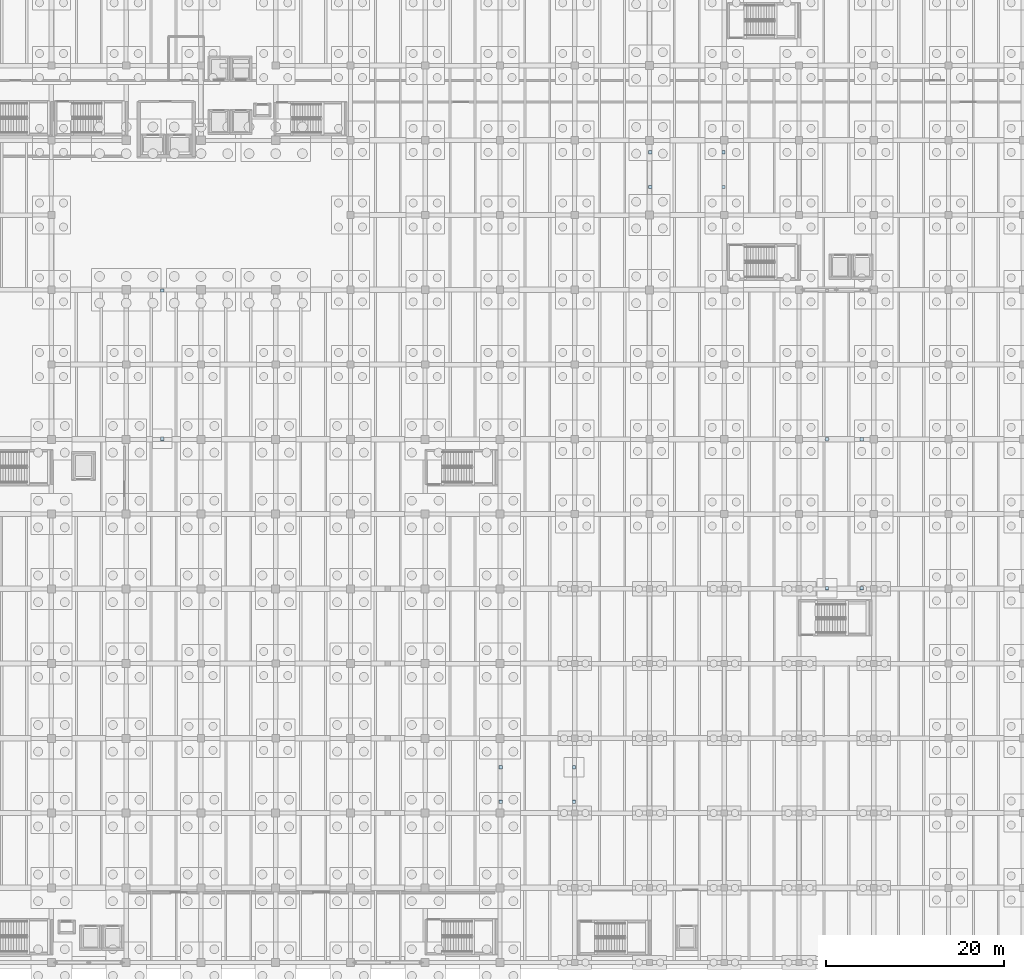
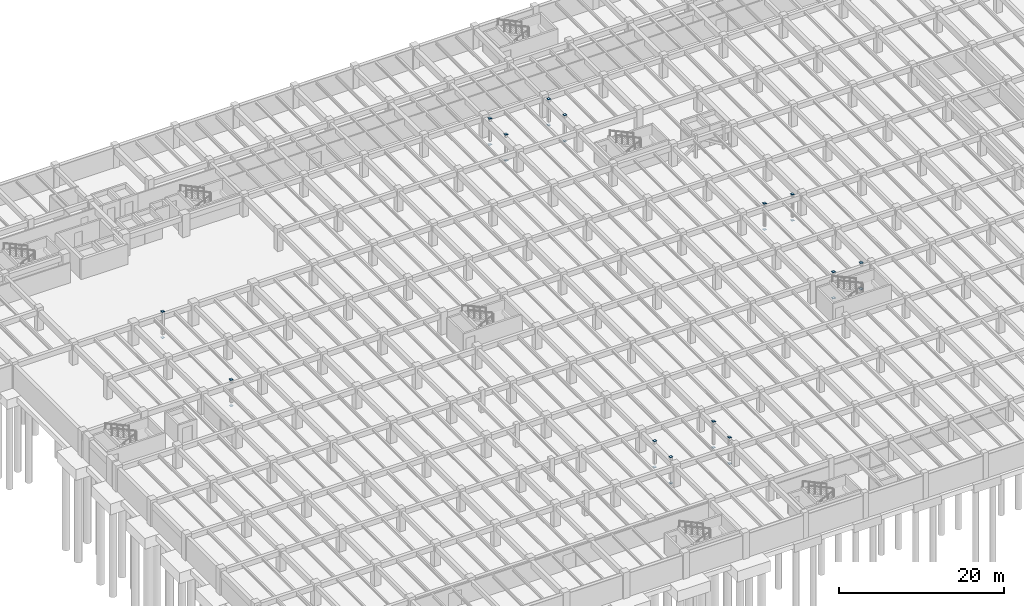
# One storey, part 37 of 70: 28 plates.
"""IFC4 building model written with IfcOpenShell, lengths in metres."""

import ifcopenshell
import ifcopenshell.guid

model = None  # the IFC model being written
_history = None  # IfcOwnerHistory: only IFC2X3 demands one
_inside = {}  # id of a spatial element -> (the spatial element, [elements in it])
_under = {}  # id of a project, library or spatial element -> (it, [spatial elements below it])
_declared = {}  # id of a project -> (the project, [libraries it declares])
_typed = {}  # id of a type object -> (the type object, [elements of that type])
_made_of = {}  # id of a material, layer set ... -> (it, [elements and type objects made of it])


def new_model(schema):
    """Start an empty IFC model of exactly this schema.

    Asked for "IFC4X3", IfcOpenShell would pick the latest addendum, in which some entities
    have other attributes; the version numbers below select the first issue.
    IFC2X3 requires an IfcOwnerHistory on every rooted entity: one is made here for all.
    """
    global model, _history
    if schema == "IFC4X3":
        model = ifcopenshell.file(schema_version=(4, 3, 0, 0))
    else:
        model = ifcopenshell.file(schema=schema)
    _inside.clear()
    _under.clear()
    _declared.clear()
    _typed.clear()
    _made_of.clear()
    _history = None
    if model.schema == "IFC2X3":
        org = make("IfcOrganization", Name="unknown")
        user = make(
            "IfcPersonAndOrganization",
            ThePerson=make("IfcPerson", FamilyName="unknown"),
            TheOrganization=org,
        )
        app = make(
            "IfcApplication",
            ApplicationDeveloper=org,
            Version="unknown",
            ApplicationFullName="unknown",
            ApplicationIdentifier="unknown",
        )
        _history = make(
            "IfcOwnerHistory",
            OwningUser=user,
            OwningApplication=app,
            ChangeAction="ADDED",
            CreationDate=0,
        )
    return model


def make(cls, **values):
    """One entity of the class cls with the attributes given. An attribute that is None is left unset."""
    return model.create_entity(
        cls, **{name: value for name, value in values.items() if value is not None}
    )


def rooted(cls, **values):
    """An entity with a GlobalId (a new one), such as an element, a storey or a relation."""
    return make(cls, GlobalId=ifcopenshell.guid.new(), OwnerHistory=_history, **values)


def si_unit(unit_type, name, prefix=None):
    """IfcSIUnit, for example si_unit("LENGTHUNIT", "METRE", prefix="MILLI")."""
    return make("IfcSIUnit", UnitType=unit_type, Prefix=prefix, Name=name)


def assignment(units):
    """IfcUnitAssignment: the units of a project."""
    return None if units is None else make("IfcUnitAssignment", Units=units)


def point(xyz):
    """IfcCartesianPoint."""
    return None if xyz is None else make("IfcCartesianPoint", Coordinates=xyz)


def direction(xyz):
    """IfcDirection."""
    return None if xyz is None else make("IfcDirection", DirectionRatios=xyz)


def frame(location, z_axis=None, x_axis=None):
    """IfcAxis2Placement3D, a coordinate frame: its origin and axes. An axis left out is left unset."""
    return make(
        "IfcAxis2Placement3D",
        Location=point(location),
        Axis=direction(z_axis),
        RefDirection=direction(x_axis),
    )


def frame_2d(location, x_axis=None):
    """IfcAxis2Placement2D, a coordinate frame in the plane: its origin and x axis."""
    return make(
        "IfcAxis2Placement2D", Location=point(location), RefDirection=direction(x_axis)
    )


def origin():
    """The frame at (0, 0, 0) with its axes left unset."""
    return frame((0.0, 0.0, 0.0))


def origin_2d():
    """The frame at (0, 0) in the plane with its x axis left unset."""
    return frame_2d((0.0, 0.0))


def place(relative_to, where):
    """IfcLocalPlacement: puts the frame where relative to a parent placement (None: the world)."""
    return make(
        "IfcLocalPlacement", PlacementRelTo=relative_to, RelativePlacement=where
    )


def context(
    kind, dimensions, precision=None, world=None, true_north=None, identifier=None
):
    """IfcGeometricRepresentationContext, for example the 3D "Model" context."""
    return make(
        "IfcGeometricRepresentationContext",
        ContextIdentifier=identifier,
        ContextType=kind,
        CoordinateSpaceDimension=dimensions,
        Precision=precision,
        WorldCoordinateSystem=world,
        TrueNorth=true_north,
    )


def subcontext(parent, identifier, kind, view, scale=None):
    """IfcGeometricRepresentationSubContext, for example "Body" below "Model"."""
    return make(
        "IfcGeometricRepresentationSubContext",
        ContextIdentifier=identifier,
        ContextType=kind,
        ParentContext=parent,
        TargetScale=scale,
        TargetView=view,
    )


def project(units=None, contexts=None):
    """IfcProject with its units and contexts."""
    return rooted(
        "IfcProject",
        Name="project",
        RepresentationContexts=contexts,
        UnitsInContext=assignment(units),
    )


def spatial(cls, under=None, at=None, **own):
    """A site, building, storey or space (cls), placed at a placement, below another one or the project."""
    s = rooted(cls, ObjectPlacement=at, **own)
    if under is not None:
        _under.setdefault(under.id(), (under, []))[1].append(s)
    return s


def profile(cls, at=None, kind="AREA", **sizes):
    """A parametric profile (cls). Its sizes go by their IFC names, for example OverallWidth=200.0."""
    return make(cls, ProfileType=kind, Position=at, **sizes)


def rectangle(**sizes):
    """IfcRectangleProfileDef."""
    return profile("IfcRectangleProfileDef", **sizes)


def extrude(swept, where, along, depth):
    """IfcExtrudedAreaSolid: the profile swept, set in the frame where, extruded along a direction by depth."""
    return make(
        "IfcExtrudedAreaSolid",
        SweptArea=swept,
        Position=where,
        ExtrudedDirection=direction(along),
        Depth=depth,
    )


def shape(context_of_items, identifier, shape_type, items):
    """IfcShapeRepresentation: the items that make up one representation, for example the "Body"."""
    return make(
        "IfcShapeRepresentation",
        ContextOfItems=context_of_items,
        RepresentationIdentifier=identifier,
        RepresentationType=shape_type,
        Items=items,
    )


def material(Name=None, Category=None):
    """IfcMaterial."""
    return make("IfcMaterial", Name=Name, Category=Category)


def layer(
    of_material, thickness, ventilated=None, Name=None, Category=None, Priority=None
):
    """IfcMaterialLayer: one layer of a wall or slab, of a material (None: an air gap)."""
    return make(
        "IfcMaterialLayer",
        Material=of_material,
        LayerThickness=thickness,
        IsVentilated=ventilated,
        Name=Name,
        Category=Category,
        Priority=Priority,
    )


def layer_set(layers, Name=None):
    """IfcMaterialLayerSet."""
    return make("IfcMaterialLayerSet", MaterialLayers=layers, LayerSetName=Name)


def made_of(thing, what):
    """Note that an element or type object is made of a material, layer set ...; save() writes the relation."""
    if what is not None:
        _made_of.setdefault(what.id(), (what, []))[1].append(thing)
    return thing


def type_object(cls, material=None, **own):
    """A type object (cls), such as IfcWallType, which elements share."""
    return made_of(rooted(cls, **own), material)


def element(
    cls,
    number,
    at=None,
    inside=None,
    cuts=None,
    type_object=None,
    material=None,
    context=None,
    identifier="Body",
    shape_type=None,
    held_by="IfcProductDefinitionShape",
    body=None,
    shapes=None,
    **own,
):
    """One element of the class cls, such as IfcWall. Its Tag is "e" and its number.

    at: its placement. inside: the storey or other place that contains it. cuts: it is an
    opening in that element (IfcRelVoidsElement). A single representation is given by context,
    identifier, shape_type and body (its items); several are given by shapes. held_by: the class
    of the entity that holds the representations. save() writes the other relations.
    """
    e = rooted(cls, Tag="e%d" % number, ObjectPlacement=at, **own)
    if body is not None:
        shapes = [shape(context, identifier, shape_type, body)]
    if shapes is not None:
        e.Representation = make(held_by, Representations=shapes)
    if inside is not None:
        _inside.setdefault(inside.id(), (inside, []))[1].append(e)
    if cuts is not None:
        rooted(
            "IfcRelVoidsElement", RelatingBuildingElement=cuts, RelatedOpeningElement=e
        )
    if type_object is not None:
        _typed.setdefault(type_object.id(), (type_object, []))[1].append(e)
    return made_of(e, material)


def aggregate(whole, parts):
    """IfcRelAggregates: a whole, such as a stair, and the parts it consists of."""
    return rooted("IfcRelAggregates", RelatingObject=whole, RelatedObjects=parts)


def save(model, path):
    """Write the relations noted so far, then the file.

    IfcRelAggregates (storeys below a building ...), IfcRelContainedInSpatialStructure (elements
    in a storey), IfcRelDefinesByType, IfcRelAssociatesMaterial and IfcRelDeclares: one each for
    every whole, place, type object, material and project.
    """
    for whole, parts in _under.values():
        aggregate(whole, parts)
    for where, things in _inside.values():
        rooted(
            "IfcRelContainedInSpatialStructure",
            RelatedElements=things,
            RelatingStructure=where,
        )
    for kind, things in _typed.values():
        rooted("IfcRelDefinesByType", RelatedObjects=things, RelatingType=kind)
    for what, things in _made_of.values():
        rooted("IfcRelAssociatesMaterial", RelatedObjects=things, RelatingMaterial=what)
    for by, libraries in _declared.values():
        rooted("IfcRelDeclares", RelatingContext=by, RelatedDefinitions=libraries)
    model.write(path)


model = new_model("IFC4")

# Units and contexts
model_context = context("Model", 3, precision=1e-05, world=origin(), true_north=direction((0.0, 1.0)))
body_context = subcontext(model_context, "Body", "Model", "MODEL_VIEW")
ifc_project = project(units=[si_unit("LENGTHUNIT", "METRE"), si_unit("AREAUNIT", "SQUARE_METRE"), si_unit("VOLUMEUNIT", "CUBIC_METRE"), si_unit("PLANEANGLEUNIT", "RADIAN"), si_unit("MASSUNIT", "GRAM", prefix="KILO")], contexts=[model_context])

# Site, building, storey
site_placement = place(None, origin())
site = spatial("IfcSite", under=ifc_project, at=site_placement, CompositionType="ELEMENT")
building_placement = place(site_placement, origin())
building = spatial("IfcBuilding", under=site, at=building_placement, Name="Cumbredor Promenade Congress Hotel", CompositionType="ELEMENT")
storey_placement = place(building_placement, frame((0.0, 0.0, -7.56005859375)))
storey = spatial("IfcBuildingStorey", under=building, at=storey_placement, Name="B02", CompositionType="ELEMENT", Elevation=-7.56005859375)

# Plates
ifc_material = material(Name="Steel ASTM A572 Grade 50", Category="steel")
ifc_layer = layer(ifc_material, 0.02001953125, Name="Steel ASTM A572 Grade 50", Category="steel")
ifc_layer_set = layer_set([ifc_layer], Name="Steel ASTM A572 Grade 50")
plate_type = type_object("IfcPlateType", Name="Hollow Section End Cap Plate CP-04", PredefinedType="USERDEFINED", material=ifc_layer_set)
for number, where, z_axis, x_axis, name in (
    (1, (29.25, 67.280029296875, -0.51806640625), (0.0, 0.0, 1.0), (1.0, 0.0, 0.0), "West Congress-to-Hotel Glazed Bridge B02 Substructure Pier 2 Start Cap Plate"),
    (2, (29.25, 67.280029296875, 3.358154296875), (0.0, 0.0, 1.0), (1.0, 0.0, 0.0), "West Congress-to-Hotel Glazed Bridge B02 Substructure Pier 2 End Cap Plate"),
    (3, (29.25, 83.919921875, -0.51806640625), (0.0, 0.0, 1.0), (1.0, 0.0, 0.0), "West Congress-to-Hotel Glazed Bridge B02 Substructure Pier 4 Start Cap Plate"),
    (4, (29.25, 83.919921875, 3.358154296875), (0.0, 0.0, 1.0), (1.0, 0.0, 0.0), "West Congress-to-Hotel Glazed Bridge B02 Substructure Pier 4 End Cap Plate"),
    (5, (67.280029296875, 26.449951171875, -0.51806640625), (0.0, 0.0, 1.0), (1.0, 0.0, 0.0), "Central Plenary-to-Spa Pool Bridge B02 Substructure Pier 1 Start Cap Plate"),
    (6, (67.280029296875, 26.449951171875, 3.358154296875), (0.0, 0.0, 1.0), (1.0, 0.0, 0.0), "Central Plenary-to-Spa Pool Bridge B02 Substructure Pier 1 End Cap Plate"),
    (7, (67.280029296875, 30.35009765625, -0.51806640625), (0.0, 0.0, 1.0), (1.0, 0.0, 0.0), "Central Plenary-to-Spa Pool Bridge B02 Substructure Pier 2 Start Cap Plate"),
    (8, (67.280029296875, 30.35009765625, 3.358154296875), (0.0, 0.0, 1.0), (1.0, 0.0, 0.0), "Central Plenary-to-Spa Pool Bridge B02 Substructure Pier 2 End Cap Plate"),
    (9, (75.52001953125, 26.449951171875, -0.51806640625), (0.0, 0.0, 1.0), (1.0, 0.0, 0.0), "Central Plenary-to-Spa Pool Bridge B02 Substructure Pier 3 Start Cap Plate"),
    (10, (75.52001953125, 26.449951171875, 3.358154296875), (0.0, 0.0, 1.0), (1.0, 0.0, 0.0), "Central Plenary-to-Spa Pool Bridge B02 Substructure Pier 3 End Cap Plate"),
    (11, (75.52001953125, 30.35009765625, -0.51806640625), (0.0, 0.0, 1.0), (1.0, 0.0, 0.0), "Central Plenary-to-Spa Pool Bridge B02 Substructure Pier 4 Start Cap Plate"),
    (12, (75.52001953125, 30.35009765625, 3.358154296875), (0.0, 0.0, 1.0), (1.0, 0.0, 0.0), "Central Plenary-to-Spa Pool Bridge B02 Substructure Pier 4 End Cap Plate"),
    (13, (103.949951171875, 50.47998046875, -0.51806640625), (0.0, 0.0, 1.0), (1.0, 0.0, 0.0), "Central Reflecting-Pool Promenade Bridge B02 Substructure Pier 1 Start Cap Plate"),
    (14, (103.949951171875, 50.47998046875, 3.358154296875), (0.0, 0.0, 1.0), (1.0, 0.0, 0.0), "Central Reflecting-Pool Promenade Bridge B02 Substructure Pier 1 End Cap Plate"),
    (15, (107.85009765625, 50.47998046875, -0.51806640625), (0.0, 0.0, 1.0), (1.0, 0.0, 0.0), "Central Reflecting-Pool Promenade Bridge B02 Substructure Pier 2 Start Cap Plate"),
    (16, (107.85009765625, 50.47998046875, 3.358154296875), (0.0, 0.0, 1.0), (1.0, 0.0, 0.0), "Central Reflecting-Pool Promenade Bridge B02 Substructure Pier 2 End Cap Plate"),
    (17, (103.949951171875, 67.199951171875, -0.51806640625), (0.0, 0.0, 1.0), (1.0, 0.0, 0.0), "B02 Pool Bridge Mid Sub-Pier 1 Start Cap Plate"),
    (18, (103.949951171875, 67.199951171875, 3.358154296875), (0.0, 0.0, 1.0), (1.0, 0.0, 0.0), "B02 Pool Bridge Mid Sub-Pier 1 End Cap Plate"),
    (19, (107.85009765625, 67.199951171875, -0.51806640625), (0.0, 0.0, 1.0), (1.0, 0.0, 0.0), "B02 Pool Bridge Mid Sub-Pier 2 Start Cap Plate"),
    (20, (107.85009765625, 67.199951171875, 3.358154296875), (0.0, 0.0, 1.0), (1.0, 0.0, 0.0), "B02 Pool Bridge Mid Sub-Pier 2 End Cap Plate"),
    (21, (84.080078125, 95.550048828125, -0.51806640625), (0.0, 0.0, 1.0), (1.0, 0.0, 0.0), "North Hotel-to-Forum Glazed Bridge B02 Substructure Pier 1 Start Cap Plate"),
    (22, (84.080078125, 95.550048828125, 3.358154296875), (0.0, 0.0, 1.0), (1.0, 0.0, 0.0), "North Hotel-to-Forum Glazed Bridge B02 Substructure Pier 1 End Cap Plate"),
    (23, (84.080078125, 99.449951171875, -0.51806640625), (0.0, 0.0, 1.0), (1.0, 0.0, 0.0), "North Hotel-to-Forum Glazed Bridge B02 Substructure Pier 2 Start Cap Plate"),
    (24, (84.080078125, 99.449951171875, 3.358154296875), (0.0, 0.0, 1.0), (1.0, 0.0, 0.0), "North Hotel-to-Forum Glazed Bridge B02 Substructure Pier 2 End Cap Plate"),
    (25, (92.320068359375, 95.550048828125, -0.51806640625), (0.0, 0.0, 1.0), (1.0, 0.0, 0.0), "North Hotel-to-Forum Glazed Bridge B02 Substructure Pier 3 Start Cap Plate"),
    (26, (92.320068359375, 95.550048828125, 3.358154296875), (0.0, 0.0, 1.0), (1.0, 0.0, 0.0), "North Hotel-to-Forum Glazed Bridge B02 Substructure Pier 3 End Cap Plate"),
    (27, (92.320068359375, 99.449951171875, -0.51806640625), (0.0, 0.0, 1.0), (1.0, 0.0, 0.0), "North Hotel-to-Forum Glazed Bridge B02 Substructure Pier 4 Start Cap Plate"),
    (28, (92.320068359375, 99.449951171875, 3.358154296875), (0.0, 0.0, 1.0), (1.0, 0.0, 0.0), "North Hotel-to-Forum Glazed Bridge B02 Substructure Pier 4 End Cap Plate"),
):
    element("IfcPlate", number, at=place(storey_placement, frame(where, z_axis=z_axis, x_axis=x_axis)), inside=storey, type_object=plate_type, Name=name, ObjectType="CAP PLATE", PredefinedType="USERDEFINED", context=body_context, shape_type="SweptSolid", body=[
        extrude(rectangle(XDim=0.3798828125, YDim=0.3798828125, at=origin_2d()), origin(), (0.0, 0.0, 1.0), 0.02001953125),
    ])

save(model, "model.ifc")
